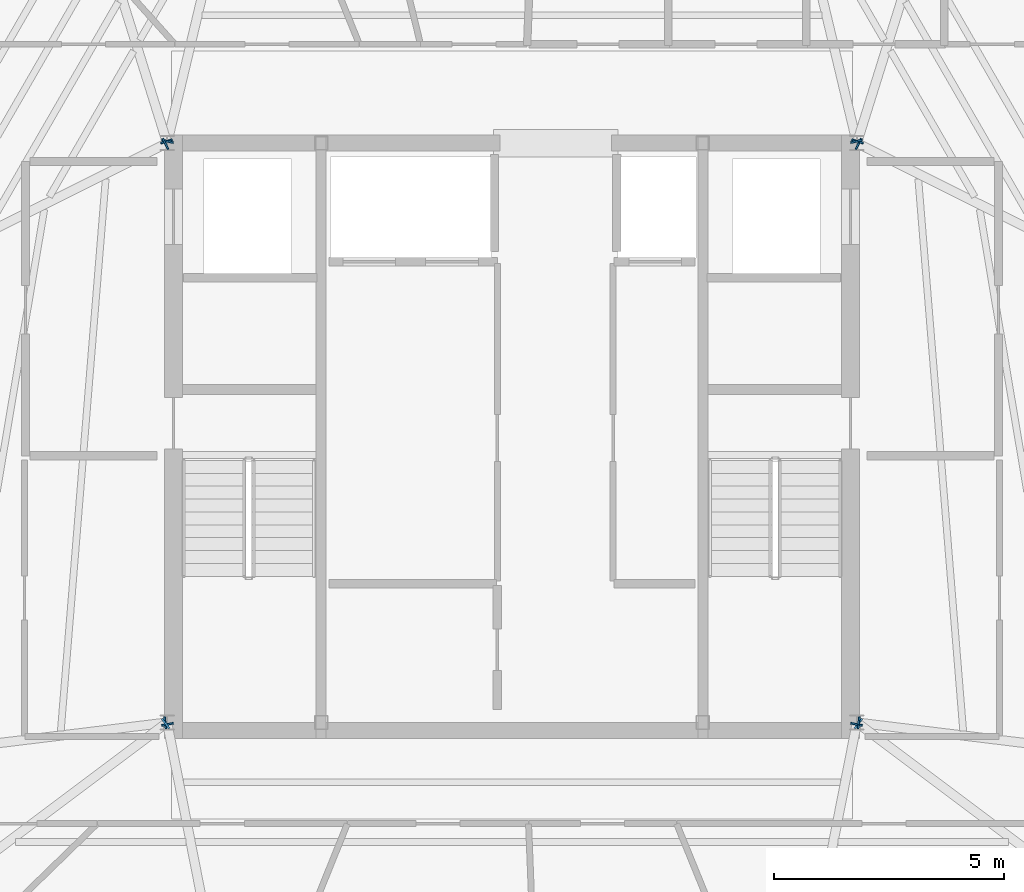
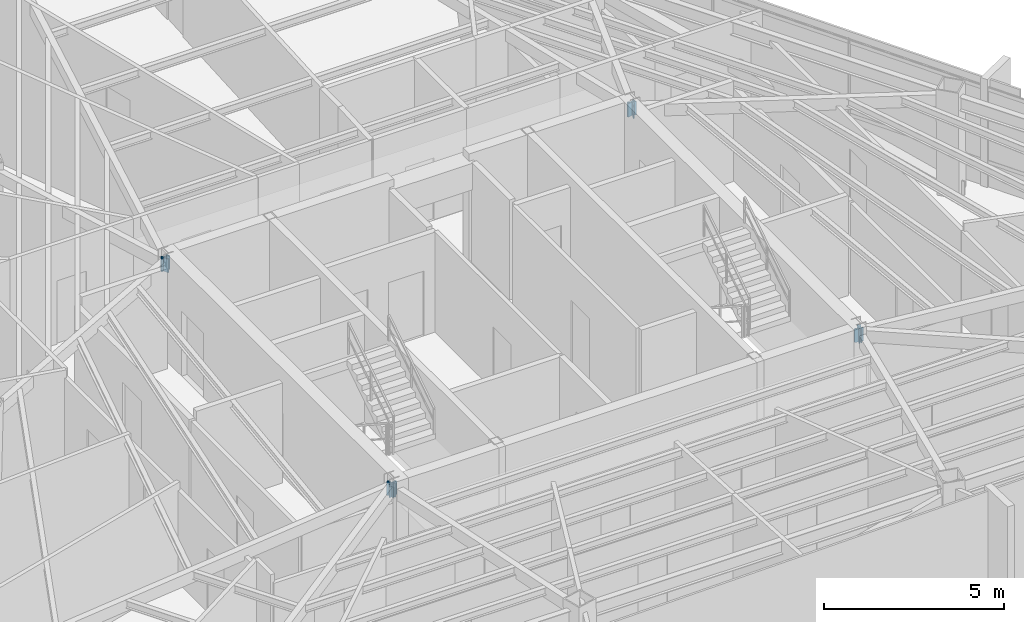
# One storey, part 39 of 45: 12 plates.
"""IFC4 building model written with IfcOpenShell, lengths in metres."""

from ifc_helpers import new_model, si_unit, direction, frame, origin, origin_2d, place, context, subcontext, project, spatial, rectangle, extrude, source, transform, mapped, material, layer, layer_set, type_object, type_shapes, element, save


model = new_model("IFC4")

# Units and contexts
model_context = context("Model", 3, precision=1e-05, world=origin(), true_north=direction((0.0, 1.0)))
body_context = subcontext(model_context, "Body", "Model", "MODEL_VIEW")
ifc_project = project(units=[si_unit("LENGTHUNIT", "METRE"), si_unit("AREAUNIT", "SQUARE_METRE"), si_unit("VOLUMEUNIT", "CUBIC_METRE"), si_unit("PLANEANGLEUNIT", "RADIAN"), si_unit("MASSUNIT", "GRAM", prefix="KILO")], contexts=[model_context])

# Site, building, storey
site_placement = place(None, origin())
site = spatial("IfcSite", under=ifc_project, at=site_placement, CompositionType="ELEMENT")
building_placement = place(site_placement, origin())
building = spatial("IfcBuilding", under=site, at=building_placement, Name="Caelisora Broadcast Tower", CompositionType="ELEMENT")
storey_placement = place(building_placement, frame((0.0, 0.0, 266.35009765625)))
storey = spatial("IfcBuildingStorey", under=building, at=storey_placement, Name="L70", CompositionType="ELEMENT", Elevation=266.35009765625)

# Plates
ifc_material = material(Name="Steel Grade 350 L15 (AS/NZS 3678)", Category="steel")
ifc_layer = layer(ifc_material, 0.0400390625, Name="Steel Grade 350 L15 (AS/NZS 3678)")
ifc_layer_set = layer_set([ifc_layer], Name="Steel Grade 350 L15 (AS/NZS 3678)")
plate_type = type_object("IfcPlateType", Name="GP04", PredefinedType="USERDEFINED", material=ifc_layer_set)
shared_shape = source(origin(), body_context, "Body", "SweptSolid", [
    extrude(rectangle(XDim=0.260009765625, YDim=0.0400390625, at=origin_2d()), origin(), (0.0, 0.0, 1.0), 0.4599609375),
])
type_shapes(plate_type, [shared_shape])
for number, where, z_axis, x_axis, name in (
    (1, (45.49072265625, 30.038818359375, 2.969970703125), (0.0, 0.0, 1.0), (-0.972775878209, -0.231747903494, 0.0), "L70 gusset plate GP04 (ND-RAD-L70-01)"),
    (2, (30.50927734375, 30.038818359375, 2.969970703125), (0.0, 0.0, 1.0), (-0.972775878209, 0.231747903494, 0.0), "L70 gusset plate GP04 (ND-RAD-L70-02)"),
    (3, (30.488037109375, 30.0380859375, 2.969970703125), (0.0, 0.0, 1.0), (-0.954604963513, -0.297874744877, 0.0), "L70 gusset plate GP04 (ND-RAD-L70-03)"),
    (4, (30.464111328125, 29.982177734375, 2.969970703125), (0.0, 0.0, 1.0), (0.446354001825, -0.894856471762, 0.0), "L70 gusset plate GP04 (ND-RAD-L70-04)"),
    (5, (30.460205078125, 17.395263671875, 2.969970703125), (0.0, 0.0, 1.0), (0.12117638583, -0.992630990609, 0.0), "L70 gusset plate GP04 (ND-RAD-L70-05)"),
    (6, (30.468017578125, 17.3759765625, 2.969970703125), (0.0, 0.0, 1.0), (0.600001429133, -0.799998928149, 0.0), "L70 gusset plate GP04 (ND-RAD-L70-06)"),
    (7, (30.5078125, 17.36083984375, 2.969970703125), (0.0, 0.0, 1.0), (0.981191725217, 0.193035743749, 0.0), "L70 gusset plate GP04 (ND-RAD-L70-07)"),
    (8, (45.4921875, 17.36083984375, 2.969970703125), (0.0, 0.0, 1.0), (0.981191725217, -0.193035743749, 0.0), "L70 gusset plate GP04 (ND-RAD-L70-08)"),
    (9, (45.531982421875, 17.3759765625, 2.969970703125), (0.0, 0.0, 1.0), (0.600001429133, 0.799998928149, 0.0), "L70 gusset plate GP04 (ND-RAD-L70-09)"),
    (10, (45.539794921875, 17.395263671875, 2.969970703125), (0.0, 0.0, 1.0), (0.12117638583, 0.992630990609, 0.0), "L70 gusset plate GP04 (ND-RAD-L70-10)"),
    (11, (45.535888671875, 29.982177734375, 2.969970703125), (0.0, 0.0, 1.0), (0.446354001825, 0.894856471762, 0.0), "L70 gusset plate GP04 (ND-RAD-L70-11)"),
    (12, (45.511962890625, 30.0380859375, 2.969970703125), (0.0, 0.0, 1.0), (-0.954604963513, 0.297874744877, 0.0), "L70 gusset plate GP04 (ND-RAD-L70-12)"),
):
    element("IfcPlate", number, at=place(storey_placement, frame(where, z_axis=z_axis, x_axis=x_axis)), inside=storey, type_object=plate_type, Name=name, ObjectType="GUSSET PLATE", PredefinedType="USERDEFINED", context=body_context, shape_type="MappedRepresentation", body=[
        mapped(shared_shape, transform((0.0, 0.0, 0.0), scale=1.0)),
    ])

save(model, "model.ifc")
